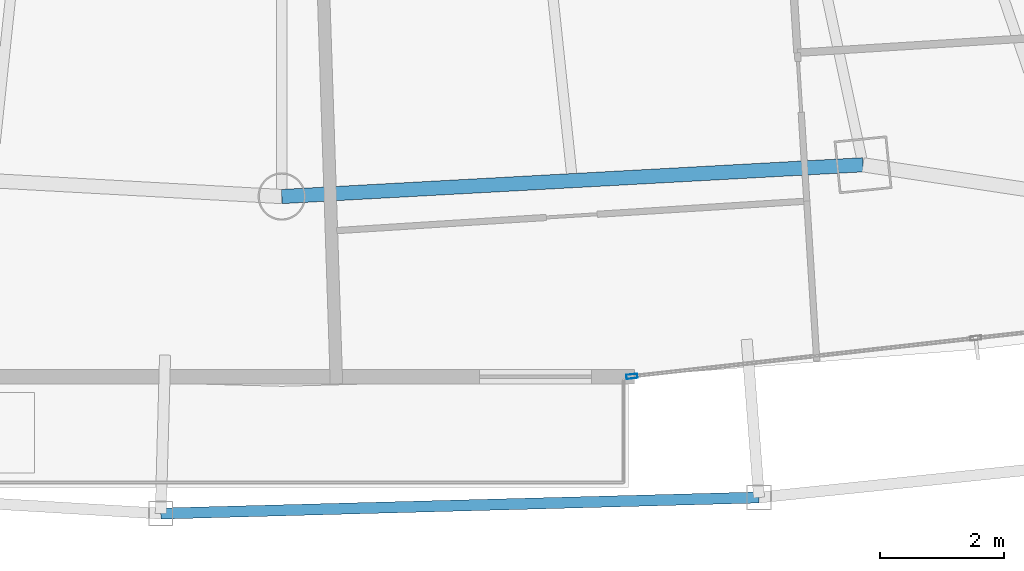
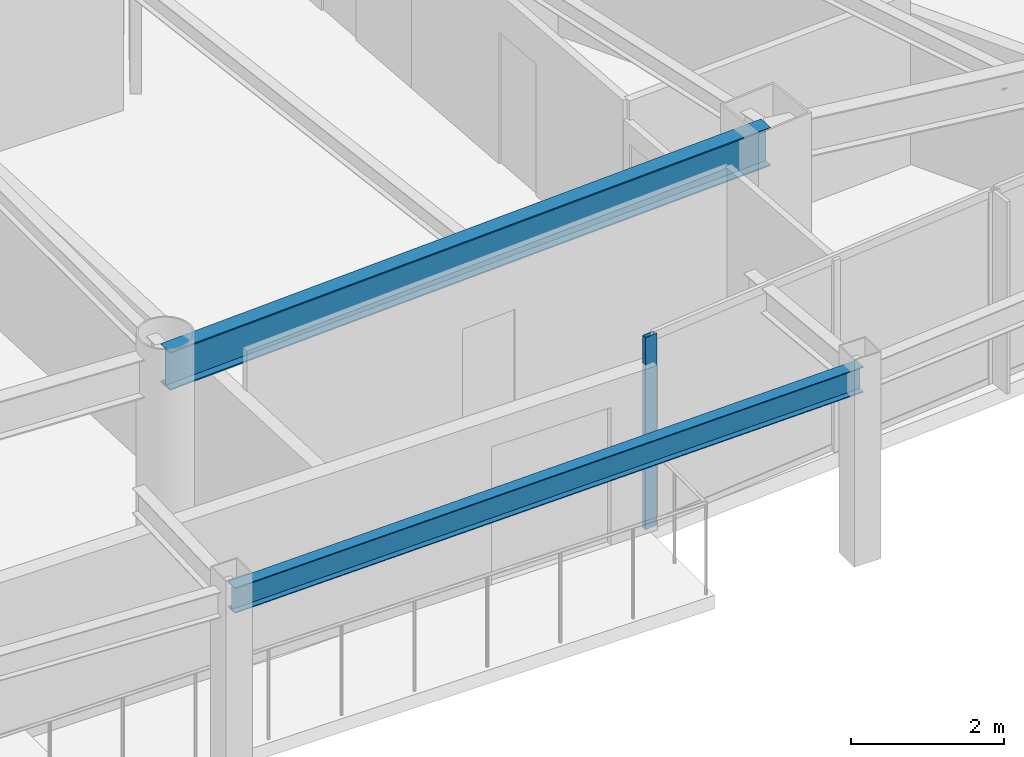
# One storey, part 8 of 29: 2 beams, 1 member, 1 element without a shape of its own.
"""IFC4 building model written with IfcOpenShell, lengths in metres."""

from ifc_helpers import new_model, si_unit, direction, frame, origin, origin_2d, place, context, subcontext, project, spatial, hollow_rectangle, i_section, extrude, material, layer, layer_set, material_profile, profile_set, type_object, element, aggregate, save


model = new_model("IFC4")

# Units and contexts
model_context = context("Model", 3, precision=1e-05, world=origin(), true_north=direction((0.0, 1.0)))
body_context = subcontext(model_context, "Body", "Model", "MODEL_VIEW")
ifc_project = project(units=[si_unit("LENGTHUNIT", "METRE"), si_unit("AREAUNIT", "SQUARE_METRE"), si_unit("VOLUMEUNIT", "CUBIC_METRE"), si_unit("PLANEANGLEUNIT", "RADIAN"), si_unit("MASSUNIT", "GRAM", prefix="KILO")], contexts=[model_context])

# Site, building, storey
site_placement = place(None, origin())
site = spatial("IfcSite", under=ifc_project, at=site_placement, CompositionType="ELEMENT")
building_placement = place(site_placement, origin())
building = spatial("IfcBuilding", under=site, at=building_placement, Name="Orvanel Arch Residences", CompositionType="ELEMENT")
storey_placement = place(building_placement, frame((0.0, 0.0, 170.449951171875)))
storey = spatial("IfcBuildingStorey", under=building, at=storey_placement, Name="L48", CompositionType="ELEMENT", Elevation=170.449951171875)

# Curtain wall, member
ifc_material_1 = material(Name="Bronze-anodised aluminium AA6063-T6", Category="aluminium")
ifc_layer = layer(ifc_material_1, 0.179931640625)
ifc_layer_set = layer_set([ifc_layer], Name="Bronze-anodised aluminium AA6063-T6")
curtain_wall_type = type_object("IfcCurtainWallType", Name="CW3-MID-SYS", PredefinedType="NOTDEFINED", material=ifc_layer_set)
curtain_wall_placement = place(storey_placement, origin())
curtain_wall = element("IfcCurtainWall", 1, at=curtain_wall_placement, inside=storey, type_object=curtain_wall_type, Name="L48 CW3-MID-SYS Unitised Curtain Wall", PredefinedType="NOTDEFINED")
ifc_material_profile_1 = material_profile(ifc_material_1, hollow_rectangle(XDim=0.070068359375, YDim=0.179931640625, WallThickness=0.00439453125, at=origin_2d()), Name="ALU180x70x4.5")
ifc_profile_set_1 = profile_set([ifc_material_profile_1], Name="Bronze-anodised aluminium AA6063-T6")
member_type = type_object("IfcMemberType", Name="MUL-180x70", PredefinedType="MULLION", material=ifc_profile_set_1)
member_placement = place(storey_placement, frame((38.6328125, 3.950927734375, 0.0), z_axis=(0.0, 0.0, 1.0), x_axis=(-0.110836581045, 0.993838645003, 0.0)))
member = element("IfcMember", 2, at=member_placement, type_object=member_type, Name="CW-S3 mullion 1", PredefinedType="MULLION", context=body_context, shape_type="SweptSolid", body=[
    extrude(hollow_rectangle(XDim=0.070068359375, YDim=0.179931640625, WallThickness=0.00439453125, at=origin_2d()), origin(), (0.0, 0.0, 1.0), 3.06005859375),
])
aggregate(curtain_wall, [member])

# Beams
ifc_material_2 = material(Name="Structural steel AS/NZS 3679.1 Grade 300 (300 MPa)", Category="steel")
ifc_material_profile_2 = material_profile(ifc_material_2, i_section(OverallWidth=0.177978515625, OverallDepth=0.406005859375, WebThickness=0.0078125, FlangeThickness=0.0126953125, at=origin_2d()), Name="410UB59.7")
ifc_profile_set_2 = profile_set([ifc_material_profile_2], Name="Structural steel AS/NZS 3679.1 Grade 300 (300 MPa)")
beam_type_1 = type_object("IfcBeamType", Name="OB-410UB-EXT", PredefinedType="SPANDREL", material=ifc_profile_set_2)
beam_1_placement = place(storey_placement, frame((31.052978515625, 1.743896484375, 2.85693359375), z_axis=(0.999638054182, 0.026902799703, 0.0), x_axis=(-0.026902799703, 0.999638054182, 0.0)))
element("IfcBeam", 3, at=beam_1_placement, inside=storey, type_object=beam_type_1, Name="L48 Outer Perimeter Floor Ring Beam 06", PredefinedType="SPANDREL", context=body_context, shape_type="SweptSolid", body=[
    extrude(i_section(OverallWidth=0.177978515625, OverallDepth=0.406005859375, WebThickness=0.0078125, FlangeThickness=0.0126953125, at=origin_2d()), origin(), (0.0, 0.0, 1.0), 9.62841796875),
])
ifc_material_profile_3 = material_profile(ifc_material_2, i_section(OverallWidth=0.22900390625, OverallDepth=0.612060546875, WebThickness=0.011962890625, FlangeThickness=0.01953125, at=origin_2d()), Name="610UB125")
ifc_profile_set_3 = profile_set([ifc_material_profile_3], Name="Structural steel AS/NZS 3679.1 Grade 300 (300 MPa)")
beam_type_2 = type_object("IfcBeamType", Name="SP-610UB", PredefinedType="SPANDREL", material=ifc_profile_set_3)
beam_2_placement = place(storey_placement, frame((33.0, 6.843994140625, 2.754150390625), z_axis=(0.998510315598, 0.054563262768, 0.0), x_axis=(-0.054563262768, 0.998510315598, 0.0)))
element("IfcBeam", 4, at=beam_2_placement, inside=storey, type_object=beam_type_2, Name="L48 Perimeter Spandrel Beam 06", PredefinedType="SPANDREL", context=body_context, shape_type="SweptSolid", body=[
    extrude(i_section(OverallWidth=0.22900390625, OverallDepth=0.612060546875, WebThickness=0.011962890625, FlangeThickness=0.01953125, at=origin_2d()), origin(), (0.0, 0.0, 1.0), 9.364990234375),
])

save(model, "model.ifc")
